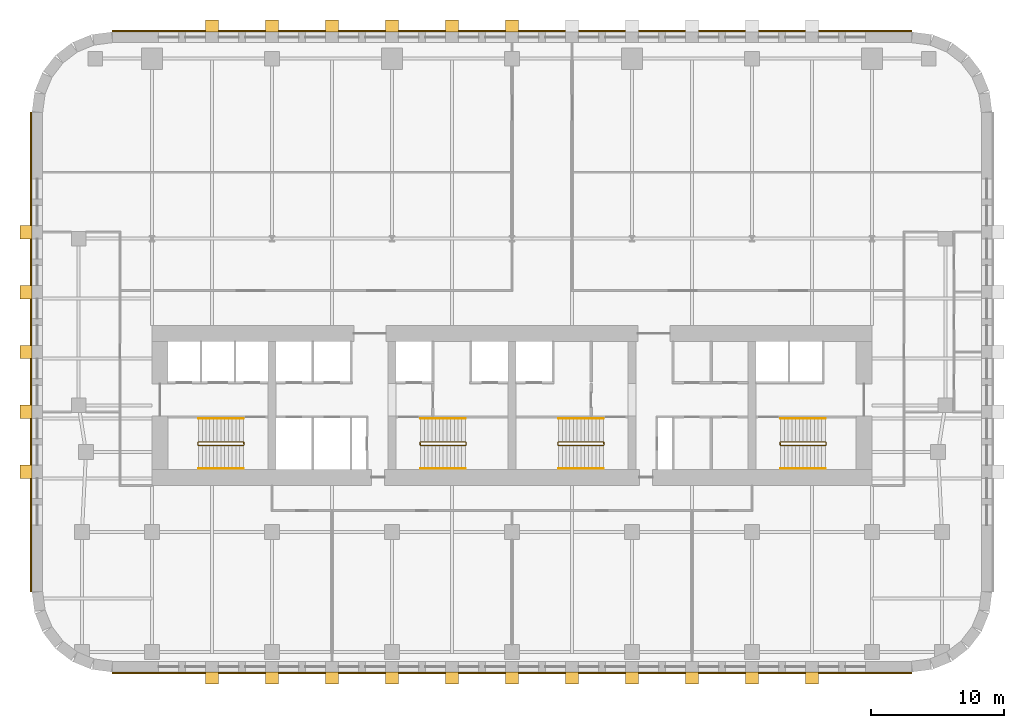
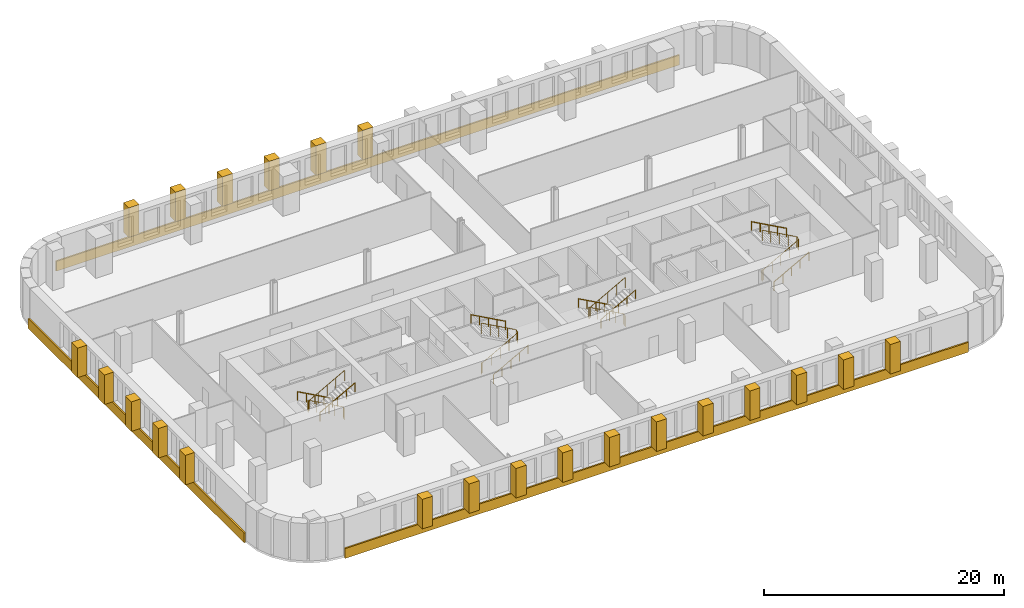
# One storey, part 10 of 11: 25 coverings, 12 railings.
"""IFC4 building model written with IfcOpenShell, lengths in metres."""

import ifcopenshell
import ifcopenshell.guid

model = None  # the IFC model being written
_history = None  # IfcOwnerHistory: only IFC2X3 demands one
_inside = {}  # id of a spatial element -> (the spatial element, [elements in it])
_under = {}  # id of a project, library or spatial element -> (it, [spatial elements below it])
_declared = {}  # id of a project -> (the project, [libraries it declares])
_typed = {}  # id of a type object -> (the type object, [elements of that type])
_made_of = {}  # id of a material, layer set ... -> (it, [elements and type objects made of it])


def new_model(schema):
    """Start an empty IFC model of exactly this schema.

    Asked for "IFC4X3", IfcOpenShell would pick the latest addendum, in which some entities
    have other attributes; the version numbers below select the first issue.
    IFC2X3 requires an IfcOwnerHistory on every rooted entity: one is made here for all.
    """
    global model, _history
    if schema == "IFC4X3":
        model = ifcopenshell.file(schema_version=(4, 3, 0, 0))
    else:
        model = ifcopenshell.file(schema=schema)
    _inside.clear()
    _under.clear()
    _declared.clear()
    _typed.clear()
    _made_of.clear()
    _history = None
    if model.schema == "IFC2X3":
        org = make("IfcOrganization", Name="unknown")
        user = make(
            "IfcPersonAndOrganization",
            ThePerson=make("IfcPerson", FamilyName="unknown"),
            TheOrganization=org,
        )
        app = make(
            "IfcApplication",
            ApplicationDeveloper=org,
            Version="unknown",
            ApplicationFullName="unknown",
            ApplicationIdentifier="unknown",
        )
        _history = make(
            "IfcOwnerHistory",
            OwningUser=user,
            OwningApplication=app,
            ChangeAction="ADDED",
            CreationDate=0,
        )
    return model


def make(cls, **values):
    """One entity of the class cls with the attributes given. An attribute that is None is left unset."""
    return model.create_entity(
        cls, **{name: value for name, value in values.items() if value is not None}
    )


def rooted(cls, **values):
    """An entity with a GlobalId (a new one), such as an element, a storey or a relation."""
    return make(cls, GlobalId=ifcopenshell.guid.new(), OwnerHistory=_history, **values)


def si_unit(unit_type, name, prefix=None):
    """IfcSIUnit, for example si_unit("LENGTHUNIT", "METRE", prefix="MILLI")."""
    return make("IfcSIUnit", UnitType=unit_type, Prefix=prefix, Name=name)


def assignment(units):
    """IfcUnitAssignment: the units of a project."""
    return None if units is None else make("IfcUnitAssignment", Units=units)


def point(xyz):
    """IfcCartesianPoint."""
    return None if xyz is None else make("IfcCartesianPoint", Coordinates=xyz)


def direction(xyz):
    """IfcDirection."""
    return None if xyz is None else make("IfcDirection", DirectionRatios=xyz)


def frame(location, z_axis=None, x_axis=None):
    """IfcAxis2Placement3D, a coordinate frame: its origin and axes. An axis left out is left unset."""
    return make(
        "IfcAxis2Placement3D",
        Location=point(location),
        Axis=direction(z_axis),
        RefDirection=direction(x_axis),
    )


def frame_2d(location, x_axis=None):
    """IfcAxis2Placement2D, a coordinate frame in the plane: its origin and x axis."""
    return make(
        "IfcAxis2Placement2D", Location=point(location), RefDirection=direction(x_axis)
    )


def origin():
    """The frame at (0, 0, 0) with its axes left unset."""
    return frame((0.0, 0.0, 0.0))


def origin_2d():
    """The frame at (0, 0) in the plane with its x axis left unset."""
    return frame_2d((0.0, 0.0))


def place(relative_to, where):
    """IfcLocalPlacement: puts the frame where relative to a parent placement (None: the world)."""
    return make(
        "IfcLocalPlacement", PlacementRelTo=relative_to, RelativePlacement=where
    )


def context(
    kind, dimensions, precision=None, world=None, true_north=None, identifier=None
):
    """IfcGeometricRepresentationContext, for example the 3D "Model" context."""
    return make(
        "IfcGeometricRepresentationContext",
        ContextIdentifier=identifier,
        ContextType=kind,
        CoordinateSpaceDimension=dimensions,
        Precision=precision,
        WorldCoordinateSystem=world,
        TrueNorth=true_north,
    )


def subcontext(parent, identifier, kind, view, scale=None):
    """IfcGeometricRepresentationSubContext, for example "Body" below "Model"."""
    return make(
        "IfcGeometricRepresentationSubContext",
        ContextIdentifier=identifier,
        ContextType=kind,
        ParentContext=parent,
        TargetScale=scale,
        TargetView=view,
    )


def project(units=None, contexts=None):
    """IfcProject with its units and contexts."""
    return rooted(
        "IfcProject",
        Name="project",
        RepresentationContexts=contexts,
        UnitsInContext=assignment(units),
    )


def spatial(cls, under=None, at=None, **own):
    """A site, building, storey or space (cls), placed at a placement, below another one or the project."""
    s = rooted(cls, ObjectPlacement=at, **own)
    if under is not None:
        _under.setdefault(under.id(), (under, []))[1].append(s)
    return s


def polyline(points):
    """IfcPolyline through the points."""
    return make("IfcPolyline", Points=[point(p) for p in points])


def profile(cls, at=None, kind="AREA", **sizes):
    """A parametric profile (cls). Its sizes go by their IFC names, for example OverallWidth=200.0."""
    return make(cls, ProfileType=kind, Position=at, **sizes)


def circle(**sizes):
    """IfcCircleProfileDef."""
    return profile("IfcCircleProfileDef", **sizes)


def outline(outer, holes=None, kind="AREA"):
    """IfcArbitraryClosedProfileDef: a profile drawn as a closed curve; with holes, ...WithVoids."""
    if holes is None:
        return make("IfcArbitraryClosedProfileDef", ProfileType=kind, OuterCurve=outer)
    return make(
        "IfcArbitraryProfileDefWithVoids",
        ProfileType=kind,
        OuterCurve=outer,
        InnerCurves=holes,
    )


def extrude(swept, where, along, depth):
    """IfcExtrudedAreaSolid: the profile swept, set in the frame where, extruded along a direction by depth."""
    return make(
        "IfcExtrudedAreaSolid",
        SweptArea=swept,
        Position=where,
        ExtrudedDirection=direction(along),
        Depth=depth,
    )


def shape(context_of_items, identifier, shape_type, items):
    """IfcShapeRepresentation: the items that make up one representation, for example the "Body"."""
    return make(
        "IfcShapeRepresentation",
        ContextOfItems=context_of_items,
        RepresentationIdentifier=identifier,
        RepresentationType=shape_type,
        Items=items,
    )


def material(Name=None, Category=None):
    """IfcMaterial."""
    return make("IfcMaterial", Name=Name, Category=Category)


def layer(
    of_material, thickness, ventilated=None, Name=None, Category=None, Priority=None
):
    """IfcMaterialLayer: one layer of a wall or slab, of a material (None: an air gap)."""
    return make(
        "IfcMaterialLayer",
        Material=of_material,
        LayerThickness=thickness,
        IsVentilated=ventilated,
        Name=Name,
        Category=Category,
        Priority=Priority,
    )


def layer_set(layers, Name=None):
    """IfcMaterialLayerSet."""
    return make("IfcMaterialLayerSet", MaterialLayers=layers, LayerSetName=Name)


def made_of(thing, what):
    """Note that an element or type object is made of a material, layer set ...; save() writes the relation."""
    if what is not None:
        _made_of.setdefault(what.id(), (what, []))[1].append(thing)
    return thing


def type_object(cls, material=None, **own):
    """A type object (cls), such as IfcWallType, which elements share."""
    return made_of(rooted(cls, **own), material)


def element(
    cls,
    number,
    at=None,
    inside=None,
    cuts=None,
    type_object=None,
    material=None,
    context=None,
    identifier="Body",
    shape_type=None,
    held_by="IfcProductDefinitionShape",
    body=None,
    shapes=None,
    **own,
):
    """One element of the class cls, such as IfcWall. Its Tag is "e" and its number.

    at: its placement. inside: the storey or other place that contains it. cuts: it is an
    opening in that element (IfcRelVoidsElement). A single representation is given by context,
    identifier, shape_type and body (its items); several are given by shapes. held_by: the class
    of the entity that holds the representations. save() writes the other relations.
    """
    e = rooted(cls, Tag="e%d" % number, ObjectPlacement=at, **own)
    if body is not None:
        shapes = [shape(context, identifier, shape_type, body)]
    if shapes is not None:
        e.Representation = make(held_by, Representations=shapes)
    if inside is not None:
        _inside.setdefault(inside.id(), (inside, []))[1].append(e)
    if cuts is not None:
        rooted(
            "IfcRelVoidsElement", RelatingBuildingElement=cuts, RelatedOpeningElement=e
        )
    if type_object is not None:
        _typed.setdefault(type_object.id(), (type_object, []))[1].append(e)
    return made_of(e, material)


def aggregate(whole, parts):
    """IfcRelAggregates: a whole, such as a stair, and the parts it consists of."""
    return rooted("IfcRelAggregates", RelatingObject=whole, RelatedObjects=parts)


def save(model, path):
    """Write the relations noted so far, then the file.

    IfcRelAggregates (storeys below a building ...), IfcRelContainedInSpatialStructure (elements
    in a storey), IfcRelDefinesByType, IfcRelAssociatesMaterial and IfcRelDeclares: one each for
    every whole, place, type object, material and project.
    """
    for whole, parts in _under.values():
        aggregate(whole, parts)
    for where, things in _inside.values():
        rooted(
            "IfcRelContainedInSpatialStructure",
            RelatedElements=things,
            RelatingStructure=where,
        )
    for kind, things in _typed.values():
        rooted("IfcRelDefinesByType", RelatedObjects=things, RelatingType=kind)
    for what, things in _made_of.values():
        rooted("IfcRelAssociatesMaterial", RelatedObjects=things, RelatingMaterial=what)
    for by, libraries in _declared.values():
        rooted("IfcRelDeclares", RelatingContext=by, RelatedDefinitions=libraries)
    model.write(path)


model = new_model("IFC4")

# Units and contexts
model_context = context("Model", 3, precision=1e-05, world=origin(), true_north=direction((0.0, 1.0)))
body_context = subcontext(model_context, "Body", "Model", "MODEL_VIEW")
ifc_project = project(units=[si_unit("LENGTHUNIT", "METRE"), si_unit("AREAUNIT", "SQUARE_METRE"), si_unit("VOLUMEUNIT", "CUBIC_METRE"), si_unit("PLANEANGLEUNIT", "RADIAN"), si_unit("MASSUNIT", "GRAM", prefix="KILO")], contexts=[model_context])

# Site, building, storey
site_placement = place(None, origin())
site = spatial("IfcSite", under=ifc_project, at=site_placement, CompositionType="ELEMENT")
building_placement = place(site_placement, origin())
building = spatial("IfcBuilding", under=site, at=building_placement, Name="Zellij Exchange Tower", CompositionType="ELEMENT")
storey_placement = place(building_placement, frame((0.0, 0.0, 80.5)))
storey = spatial("IfcBuildingStorey", under=building, at=storey_placement, Name="L16", CompositionType="ELEMENT", Elevation=80.5)

# Railings
ifc_material_1 = material(Name="Stainless steel", Category="steel")
railing_type_1 = type_object("IfcRailingType", Name="CORE-RG stair guard", PredefinedType="GUARDRAIL", material=ifc_material_1)
railing_1_placement = place(storey_placement, frame((-20.10009765625, -10.800048828125, 0.0)))
element("IfcRailing", 1, at=railing_1_placement, inside=storey, type_object=railing_type_1, Name="ST1 stair guard L16", PredefinedType="GUARDRAIL", context=body_context, shape_type="SweptSolid", body=[
    extrude(circle(Radius=0.02392578125, at=origin_2d()), frame((0.0, 0.0, 1.076171875), z_axis=(0.0, -1.0, 0.0), x_axis=(1.0, 0.0, 0.0)), (0.0, 0.0, 1.0), 0.14990234375),
    extrude(circle(Radius=0.02392578125, at=origin_2d()), frame((0.0, -0.14990234375, 1.076171875), z_axis=(-0.193691321961, 0.777613689637, 0.598164376644), x_axis=(-0.970351222016, -0.241699205484, 0.0)), (0.0, 0.0, 1.0), 0.257080078125),
    extrude(circle(Radius=0.02392578125, at=origin_2d()), frame((-0.0498046875, 0.050048828125, 1.22998046875), z_axis=(-0.876421534553, 0.0, 0.481544695509), x_axis=(0.0, -1.0, 0.0)), (0.0, 0.0, 1.0), 3.833984375),
    extrude(circle(Radius=0.02392578125, at=origin_2d()), frame((-3.409912109375, 0.050048828125, 3.076171875), z_axis=(-0.707106781187, -0.707106781187, 0.0), x_axis=(0.707106781187, -0.707106781187, 0.0)), (0.0, 0.0, 1.0), 0.07080078125),
    extrude(circle(Radius=0.02392578125, at=origin_2d()), frame((-3.4599609375, 0.0, 3.076171875), z_axis=(0.0, -1.0, 0.0), x_axis=(1.0, 0.0, 0.0)), (0.0, 0.0, 1.0), 0.14990234375),
    extrude(circle(Radius=0.02392578125, at=origin_2d()), frame((-3.4599609375, -0.14990234375, 3.076171875), z_axis=(0.295599637079, -0.295599637079, 0.908428152975), x_axis=(0.707106781187, 0.707106781187, 0.0)), (0.0, 0.0, 1.0), 0.16943359375),
    extrude(circle(Radius=0.02392578125, at=origin_2d()), frame((-3.409912109375, -0.199951171875, 3.22998046875), z_axis=(0.876421534553, 0.0, 0.481544695509), x_axis=(0.0, 1.0, 0.0)), (0.0, 0.0, 1.0), 3.833984375),
    extrude(circle(Radius=0.02099609375, at=origin_2d()), origin(), (0.0, 0.0, 1.0), 1.052001953125),
    extrude(circle(Radius=0.02099609375, at=origin_2d()), frame((0.0, -0.14990234375, 0.0)), (0.0, 0.0, 1.0), 1.052001953125),
    extrude(circle(Radius=0.02099609375, at=origin_2d()), frame((-0.0498046875, 0.050048828125, 0.15380859375)), (0.0, 0.0, 1.0), 1.052001953125),
    extrude(circle(Radius=0.02099609375, at=origin_2d()), frame((-0.889892578125, 0.050048828125, 0.615234375)), (0.0, 0.0, 1.0), 1.052001953125),
    extrude(circle(Radius=0.02099609375, at=origin_2d()), frame((-1.72998046875, 0.050048828125, 1.076904296875)), (0.0, 0.0, 1.0), 1.052001953125),
    extrude(circle(Radius=0.02099609375, at=origin_2d()), frame((-2.56982421875, 0.050048828125, 1.53857421875)), (0.0, 0.0, 1.0), 1.052001953125),
    extrude(circle(Radius=0.02099609375, at=origin_2d()), frame((-3.409912109375, 0.050048828125, 2.0)), (0.0, 0.0, 1.0), 1.052001953125),
    extrude(circle(Radius=0.02099609375, at=origin_2d()), frame((-3.4599609375, 0.0, 2.0)), (0.0, 0.0, 1.0), 1.052001953125),
    extrude(circle(Radius=0.02099609375, at=origin_2d()), frame((-3.4599609375, -0.14990234375, 2.0)), (0.0, 0.0, 1.0), 1.052001953125),
    extrude(circle(Radius=0.02099609375, at=origin_2d()), frame((-3.409912109375, -0.199951171875, 2.15380859375)), (0.0, 0.0, 1.0), 1.052001953125),
    extrude(circle(Radius=0.02099609375, at=origin_2d()), frame((-2.56982421875, -0.199951171875, 2.615234375)), (0.0, 0.0, 1.0), 1.052001953125),
    extrude(circle(Radius=0.02099609375, at=origin_2d()), frame((-1.72998046875, -0.199951171875, 3.076904296875)), (0.0, 0.0, 1.0), 1.052001953125),
    extrude(circle(Radius=0.02099609375, at=origin_2d()), frame((-0.889892578125, -0.199951171875, 3.53857421875)), (0.0, 0.0, 1.0), 1.052001953125),
    extrude(circle(Radius=0.02099609375, at=origin_2d()), frame((-0.0498046875, -0.199951171875, 4.0)), (0.0, 0.0, 1.0), 1.052001953125),
])
railing_2_placement = place(storey_placement, frame((-6.89990234375, -10.949951171875, 0.0)))
element("IfcRailing", 2, at=railing_2_placement, inside=storey, type_object=railing_type_1, Name="ST2 stair guard L16", PredefinedType="GUARDRAIL", context=body_context, shape_type="SweptSolid", body=[
    extrude(circle(Radius=0.02392578125, at=origin_2d()), frame((0.0, 0.0, 1.076171875), z_axis=(0.0, 1.0, 0.0), x_axis=(-1.0, 0.0, 0.0)), (0.0, 0.0, 1.0), 0.14990234375),
    extrude(circle(Radius=0.02392578125, at=origin_2d()), frame((0.0, 0.14990234375, 1.076171875), z_axis=(0.193691321961, -0.777613689637, 0.598164376644), x_axis=(0.970351222016, 0.241699205484, 0.0)), (0.0, 0.0, 1.0), 0.257080078125),
    extrude(circle(Radius=0.02392578125, at=origin_2d()), frame((0.0498046875, -0.050048828125, 1.22998046875), z_axis=(0.876421534553, 0.0, 0.481544695509), x_axis=(0.0, 1.0, 0.0)), (0.0, 0.0, 1.0), 3.833984375),
    extrude(circle(Radius=0.02392578125, at=origin_2d()), frame((3.409912109375, -0.050048828125, 3.076171875), z_axis=(0.707106781187, 0.707106781187, 0.0), x_axis=(-0.707106781187, 0.707106781187, 0.0)), (0.0, 0.0, 1.0), 0.07080078125),
    extrude(circle(Radius=0.02392578125, at=origin_2d()), frame((3.4599609375, 0.0, 3.076171875), z_axis=(0.0, 1.0, 0.0), x_axis=(-1.0, 0.0, 0.0)), (0.0, 0.0, 1.0), 0.14990234375),
    extrude(circle(Radius=0.02392578125, at=origin_2d()), frame((3.4599609375, 0.14990234375, 3.076171875), z_axis=(-0.295599637079, 0.295599637079, 0.908428152975), x_axis=(-0.707106781187, -0.707106781187, 0.0)), (0.0, 0.0, 1.0), 0.16943359375),
    extrude(circle(Radius=0.02392578125, at=origin_2d()), frame((3.409912109375, 0.199951171875, 3.22998046875), z_axis=(-0.876421534553, 0.0, 0.481544695509), x_axis=(0.0, -1.0, 0.0)), (0.0, 0.0, 1.0), 3.833984375),
    extrude(circle(Radius=0.02099609375, at=origin_2d()), origin(), (0.0, 0.0, 1.0), 1.052001953125),
    extrude(circle(Radius=0.02099609375, at=origin_2d()), frame((0.0, 0.14990234375, 0.0)), (0.0, 0.0, 1.0), 1.052001953125),
    extrude(circle(Radius=0.02099609375, at=origin_2d()), frame((0.0498046875, -0.050048828125, 0.15380859375)), (0.0, 0.0, 1.0), 1.052001953125),
    extrude(circle(Radius=0.02099609375, at=origin_2d()), frame((0.889892578125, -0.050048828125, 0.615234375)), (0.0, 0.0, 1.0), 1.052001953125),
    extrude(circle(Radius=0.02099609375, at=origin_2d()), frame((1.72998046875, -0.050048828125, 1.076904296875)), (0.0, 0.0, 1.0), 1.052001953125),
    extrude(circle(Radius=0.02099609375, at=origin_2d()), frame((2.56982421875, -0.050048828125, 1.53857421875)), (0.0, 0.0, 1.0), 1.052001953125),
    extrude(circle(Radius=0.02099609375, at=origin_2d()), frame((3.409912109375, -0.050048828125, 2.0)), (0.0, 0.0, 1.0), 1.052001953125),
    extrude(circle(Radius=0.02099609375, at=origin_2d()), frame((3.4599609375, 0.0, 2.0)), (0.0, 0.0, 1.0), 1.052001953125),
    extrude(circle(Radius=0.02099609375, at=origin_2d()), frame((3.4599609375, 0.14990234375, 2.0)), (0.0, 0.0, 1.0), 1.052001953125),
    extrude(circle(Radius=0.02099609375, at=origin_2d()), frame((3.409912109375, 0.199951171875, 2.15380859375)), (0.0, 0.0, 1.0), 1.052001953125),
    extrude(circle(Radius=0.02099609375, at=origin_2d()), frame((2.56982421875, 0.199951171875, 2.615234375)), (0.0, 0.0, 1.0), 1.052001953125),
    extrude(circle(Radius=0.02099609375, at=origin_2d()), frame((1.72998046875, 0.199951171875, 3.076904296875)), (0.0, 0.0, 1.0), 1.052001953125),
    extrude(circle(Radius=0.02099609375, at=origin_2d()), frame((0.889892578125, 0.199951171875, 3.53857421875)), (0.0, 0.0, 1.0), 1.052001953125),
    extrude(circle(Radius=0.02099609375, at=origin_2d()), frame((0.0498046875, 0.199951171875, 4.0)), (0.0, 0.0, 1.0), 1.052001953125),
])
railing_3_placement = place(storey_placement, frame((6.89990234375, -10.800048828125, 0.0)))
element("IfcRailing", 3, at=railing_3_placement, inside=storey, type_object=railing_type_1, Name="ST3 stair guard L16", PredefinedType="GUARDRAIL", context=body_context, shape_type="SweptSolid", body=[
    extrude(circle(Radius=0.02392578125, at=origin_2d()), frame((0.0, 0.0, 1.076171875), z_axis=(0.0, -1.0, 0.0), x_axis=(1.0, 0.0, 0.0)), (0.0, 0.0, 1.0), 0.14990234375),
    extrude(circle(Radius=0.02392578125, at=origin_2d()), frame((0.0, -0.14990234375, 1.076171875), z_axis=(-0.193691321961, 0.777613689637, 0.598164376644), x_axis=(-0.970351222016, -0.241699205484, 0.0)), (0.0, 0.0, 1.0), 0.257080078125),
    extrude(circle(Radius=0.02392578125, at=origin_2d()), frame((-0.0498046875, 0.050048828125, 1.22998046875), z_axis=(-0.876421534553, 0.0, 0.481544695509), x_axis=(0.0, -1.0, 0.0)), (0.0, 0.0, 1.0), 3.833984375),
    extrude(circle(Radius=0.02392578125, at=origin_2d()), frame((-3.409912109375, 0.050048828125, 3.076171875), z_axis=(-0.707106781187, -0.707106781187, 0.0), x_axis=(0.707106781187, -0.707106781187, 0.0)), (0.0, 0.0, 1.0), 0.07080078125),
    extrude(circle(Radius=0.02392578125, at=origin_2d()), frame((-3.4599609375, 0.0, 3.076171875), z_axis=(0.0, -1.0, 0.0), x_axis=(1.0, 0.0, 0.0)), (0.0, 0.0, 1.0), 0.14990234375),
    extrude(circle(Radius=0.02392578125, at=origin_2d()), frame((-3.4599609375, -0.14990234375, 3.076171875), z_axis=(0.295599637079, -0.295599637079, 0.908428152975), x_axis=(0.707106781187, 0.707106781187, 0.0)), (0.0, 0.0, 1.0), 0.16943359375),
    extrude(circle(Radius=0.02392578125, at=origin_2d()), frame((-3.409912109375, -0.199951171875, 3.22998046875), z_axis=(0.876421534553, 0.0, 0.481544695509), x_axis=(0.0, 1.0, 0.0)), (0.0, 0.0, 1.0), 3.833984375),
    extrude(circle(Radius=0.02099609375, at=origin_2d()), origin(), (0.0, 0.0, 1.0), 1.052001953125),
    extrude(circle(Radius=0.02099609375, at=origin_2d()), frame((0.0, -0.14990234375, 0.0)), (0.0, 0.0, 1.0), 1.052001953125),
    extrude(circle(Radius=0.02099609375, at=origin_2d()), frame((-0.0498046875, 0.050048828125, 0.15380859375)), (0.0, 0.0, 1.0), 1.052001953125),
    extrude(circle(Radius=0.02099609375, at=origin_2d()), frame((-0.889892578125, 0.050048828125, 0.615234375)), (0.0, 0.0, 1.0), 1.052001953125),
    extrude(circle(Radius=0.02099609375, at=origin_2d()), frame((-1.72998046875, 0.050048828125, 1.076904296875)), (0.0, 0.0, 1.0), 1.052001953125),
    extrude(circle(Radius=0.02099609375, at=origin_2d()), frame((-2.56982421875, 0.050048828125, 1.53857421875)), (0.0, 0.0, 1.0), 1.052001953125),
    extrude(circle(Radius=0.02099609375, at=origin_2d()), frame((-3.409912109375, 0.050048828125, 2.0)), (0.0, 0.0, 1.0), 1.052001953125),
    extrude(circle(Radius=0.02099609375, at=origin_2d()), frame((-3.4599609375, 0.0, 2.0)), (0.0, 0.0, 1.0), 1.052001953125),
    extrude(circle(Radius=0.02099609375, at=origin_2d()), frame((-3.4599609375, -0.14990234375, 2.0)), (0.0, 0.0, 1.0), 1.052001953125),
    extrude(circle(Radius=0.02099609375, at=origin_2d()), frame((-3.409912109375, -0.199951171875, 2.15380859375)), (0.0, 0.0, 1.0), 1.052001953125),
    extrude(circle(Radius=0.02099609375, at=origin_2d()), frame((-2.56982421875, -0.199951171875, 2.615234375)), (0.0, 0.0, 1.0), 1.052001953125),
    extrude(circle(Radius=0.02099609375, at=origin_2d()), frame((-1.72998046875, -0.199951171875, 3.076904296875)), (0.0, 0.0, 1.0), 1.052001953125),
    extrude(circle(Radius=0.02099609375, at=origin_2d()), frame((-0.889892578125, -0.199951171875, 3.53857421875)), (0.0, 0.0, 1.0), 1.052001953125),
    extrude(circle(Radius=0.02099609375, at=origin_2d()), frame((-0.0498046875, -0.199951171875, 4.0)), (0.0, 0.0, 1.0), 1.052001953125),
])
railing_4_placement = place(storey_placement, frame((20.10009765625, -10.949951171875, 0.0)))
element("IfcRailing", 4, at=railing_4_placement, inside=storey, type_object=railing_type_1, Name="ST4 stair guard L16", PredefinedType="GUARDRAIL", context=body_context, shape_type="SweptSolid", body=[
    extrude(circle(Radius=0.02392578125, at=origin_2d()), frame((0.0, 0.0, 1.076171875), z_axis=(0.0, 1.0, 0.0), x_axis=(-1.0, 0.0, 0.0)), (0.0, 0.0, 1.0), 0.14990234375),
    extrude(circle(Radius=0.02392578125, at=origin_2d()), frame((0.0, 0.14990234375, 1.076171875), z_axis=(0.193691321961, -0.777613689637, 0.598164376644), x_axis=(0.970351222016, 0.241699205484, 0.0)), (0.0, 0.0, 1.0), 0.257080078125),
    extrude(circle(Radius=0.02392578125, at=origin_2d()), frame((0.0498046875, -0.050048828125, 1.22998046875), z_axis=(0.876421534553, 0.0, 0.481544695509), x_axis=(0.0, 1.0, 0.0)), (0.0, 0.0, 1.0), 3.833984375),
    extrude(circle(Radius=0.02392578125, at=origin_2d()), frame((3.409912109375, -0.050048828125, 3.076171875), z_axis=(0.707106781187, 0.707106781187, 0.0), x_axis=(-0.707106781187, 0.707106781187, 0.0)), (0.0, 0.0, 1.0), 0.07080078125),
    extrude(circle(Radius=0.02392578125, at=origin_2d()), frame((3.4599609375, 0.0, 3.076171875), z_axis=(0.0, 1.0, 0.0), x_axis=(-1.0, 0.0, 0.0)), (0.0, 0.0, 1.0), 0.14990234375),
    extrude(circle(Radius=0.02392578125, at=origin_2d()), frame((3.4599609375, 0.14990234375, 3.076171875), z_axis=(-0.295599637079, 0.295599637079, 0.908428152975), x_axis=(-0.707106781187, -0.707106781187, 0.0)), (0.0, 0.0, 1.0), 0.16943359375),
    extrude(circle(Radius=0.02392578125, at=origin_2d()), frame((3.409912109375, 0.199951171875, 3.22998046875), z_axis=(-0.876421534553, 0.0, 0.481544695509), x_axis=(0.0, -1.0, 0.0)), (0.0, 0.0, 1.0), 3.833984375),
    extrude(circle(Radius=0.02099609375, at=origin_2d()), origin(), (0.0, 0.0, 1.0), 1.052001953125),
    extrude(circle(Radius=0.02099609375, at=origin_2d()), frame((0.0, 0.14990234375, 0.0)), (0.0, 0.0, 1.0), 1.052001953125),
    extrude(circle(Radius=0.02099609375, at=origin_2d()), frame((0.0498046875, -0.050048828125, 0.15380859375)), (0.0, 0.0, 1.0), 1.052001953125),
    extrude(circle(Radius=0.02099609375, at=origin_2d()), frame((0.889892578125, -0.050048828125, 0.615234375)), (0.0, 0.0, 1.0), 1.052001953125),
    extrude(circle(Radius=0.02099609375, at=origin_2d()), frame((1.72998046875, -0.050048828125, 1.076904296875)), (0.0, 0.0, 1.0), 1.052001953125),
    extrude(circle(Radius=0.02099609375, at=origin_2d()), frame((2.56982421875, -0.050048828125, 1.53857421875)), (0.0, 0.0, 1.0), 1.052001953125),
    extrude(circle(Radius=0.02099609375, at=origin_2d()), frame((3.409912109375, -0.050048828125, 2.0)), (0.0, 0.0, 1.0), 1.052001953125),
    extrude(circle(Radius=0.02099609375, at=origin_2d()), frame((3.4599609375, 0.0, 2.0)), (0.0, 0.0, 1.0), 1.052001953125),
    extrude(circle(Radius=0.02099609375, at=origin_2d()), frame((3.4599609375, 0.14990234375, 2.0)), (0.0, 0.0, 1.0), 1.052001953125),
    extrude(circle(Radius=0.02099609375, at=origin_2d()), frame((3.409912109375, 0.199951171875, 2.15380859375)), (0.0, 0.0, 1.0), 1.052001953125),
    extrude(circle(Radius=0.02099609375, at=origin_2d()), frame((2.56982421875, 0.199951171875, 2.615234375)), (0.0, 0.0, 1.0), 1.052001953125),
    extrude(circle(Radius=0.02099609375, at=origin_2d()), frame((1.72998046875, 0.199951171875, 3.076904296875)), (0.0, 0.0, 1.0), 1.052001953125),
    extrude(circle(Radius=0.02099609375, at=origin_2d()), frame((0.889892578125, 0.199951171875, 3.53857421875)), (0.0, 0.0, 1.0), 1.052001953125),
    extrude(circle(Radius=0.02099609375, at=origin_2d()), frame((0.0498046875, 0.199951171875, 4.0)), (0.0, 0.0, 1.0), 1.052001953125),
])
railing_type_2 = type_object("IfcRailingType", Name="CORE-RH stair handrail", PredefinedType="HANDRAIL", material=ifc_material_1)
railing_5_placement = place(storey_placement, frame((-20.14990234375, -9.0, 0.15380859375)))
element("IfcRailing", 5, at=railing_5_placement, inside=storey, type_object=railing_type_2, Name="ST1 stair handrail L16", PredefinedType="HANDRAIL", context=body_context, shape_type="SweptSolid", body=[
    extrude(circle(Radius=0.02392578125, at=origin_2d()), frame((0.0, 0.0, 0.8759765625), z_axis=(-0.876421534553, 0.0, 0.481544695509), x_axis=(0.0, -1.0, 0.0)), (0.0, 0.0, 1.0), 3.833984375),
    extrude(circle(Radius=0.02099609375, at=origin_2d()), origin(), (0.0, 0.0, 1.0), 0.851806640625),
    extrude(circle(Radius=0.02099609375, at=origin_2d()), frame((-0.840087890625, 0.0, 0.46142578125)), (0.0, 0.0, 1.0), 0.851806640625),
    extrude(circle(Radius=0.02099609375, at=origin_2d()), frame((-1.68017578125, 0.0, 0.923095703125)), (0.0, 0.0, 1.0), 0.851806640625),
    extrude(circle(Radius=0.02099609375, at=origin_2d()), frame((-2.52001953125, 0.0, 1.384765625)), (0.0, 0.0, 1.0), 0.851806640625),
    extrude(circle(Radius=0.02099609375, at=origin_2d()), frame((-3.360107421875, 0.0, 1.84619140625)), (0.0, 0.0, 1.0), 0.851806640625),
])
for number, where, name in (
    (6, (-23.510009765625, -12.75, 2.15380859375), "ST1 stair handrail L16"),
    (7, (-6.85009765625, -12.75, 0.15380859375), "ST2 stair handrail L16"),
):
    element("IfcRailing", number, at=place(storey_placement, frame(where)), inside=storey, type_object=railing_type_2, Name=name, PredefinedType="HANDRAIL", context=body_context, shape_type="SweptSolid", body=[
        extrude(circle(Radius=0.02392578125, at=origin_2d()), frame((0.0, 0.0, 0.8759765625), z_axis=(0.876421534553, 0.0, 0.481544695509), x_axis=(0.0, 1.0, 0.0)), (0.0, 0.0, 1.0), 3.833984375),
        extrude(circle(Radius=0.02099609375, at=origin_2d()), origin(), (0.0, 0.0, 1.0), 0.851806640625),
        extrude(circle(Radius=0.02099609375, at=origin_2d()), frame((0.840087890625, 0.0, 0.46142578125)), (0.0, 0.0, 1.0), 0.851806640625),
        extrude(circle(Radius=0.02099609375, at=origin_2d()), frame((1.68017578125, 0.0, 0.923095703125)), (0.0, 0.0, 1.0), 0.851806640625),
        extrude(circle(Radius=0.02099609375, at=origin_2d()), frame((2.52001953125, 0.0, 1.384765625)), (0.0, 0.0, 1.0), 0.851806640625),
        extrude(circle(Radius=0.02099609375, at=origin_2d()), frame((3.360107421875, 0.0, 1.84619140625)), (0.0, 0.0, 1.0), 0.851806640625),
    ])
for number, where, name in (
    (8, (-3.489990234375, -9.0, 2.15380859375), "ST2 stair handrail L16"),
    (9, (6.85009765625, -9.0, 0.15380859375), "ST3 stair handrail L16"),
):
    element("IfcRailing", number, at=place(storey_placement, frame(where)), inside=storey, type_object=railing_type_2, Name=name, PredefinedType="HANDRAIL", context=body_context, shape_type="SweptSolid", body=[
        extrude(circle(Radius=0.02392578125, at=origin_2d()), frame((0.0, 0.0, 0.8759765625), z_axis=(-0.876421534553, 0.0, 0.481544695509), x_axis=(0.0, -1.0, 0.0)), (0.0, 0.0, 1.0), 3.833984375),
        extrude(circle(Radius=0.02099609375, at=origin_2d()), origin(), (0.0, 0.0, 1.0), 0.851806640625),
        extrude(circle(Radius=0.02099609375, at=origin_2d()), frame((-0.840087890625, 0.0, 0.46142578125)), (0.0, 0.0, 1.0), 0.851806640625),
        extrude(circle(Radius=0.02099609375, at=origin_2d()), frame((-1.68017578125, 0.0, 0.923095703125)), (0.0, 0.0, 1.0), 0.851806640625),
        extrude(circle(Radius=0.02099609375, at=origin_2d()), frame((-2.52001953125, 0.0, 1.384765625)), (0.0, 0.0, 1.0), 0.851806640625),
        extrude(circle(Radius=0.02099609375, at=origin_2d()), frame((-3.360107421875, 0.0, 1.84619140625)), (0.0, 0.0, 1.0), 0.851806640625),
    ])
for number, where, name in (
    (10, (3.489990234375, -12.75, 2.15380859375), "ST3 stair handrail L16"),
    (11, (20.14990234375, -12.75, 0.15380859375), "ST4 stair handrail L16"),
):
    element("IfcRailing", number, at=place(storey_placement, frame(where)), inside=storey, type_object=railing_type_2, Name=name, PredefinedType="HANDRAIL", context=body_context, shape_type="SweptSolid", body=[
        extrude(circle(Radius=0.02392578125, at=origin_2d()), frame((0.0, 0.0, 0.8759765625), z_axis=(0.876421534553, 0.0, 0.481544695509), x_axis=(0.0, 1.0, 0.0)), (0.0, 0.0, 1.0), 3.833984375),
        extrude(circle(Radius=0.02099609375, at=origin_2d()), origin(), (0.0, 0.0, 1.0), 0.851806640625),
        extrude(circle(Radius=0.02099609375, at=origin_2d()), frame((0.840087890625, 0.0, 0.46142578125)), (0.0, 0.0, 1.0), 0.851806640625),
        extrude(circle(Radius=0.02099609375, at=origin_2d()), frame((1.68017578125, 0.0, 0.923095703125)), (0.0, 0.0, 1.0), 0.851806640625),
        extrude(circle(Radius=0.02099609375, at=origin_2d()), frame((2.52001953125, 0.0, 1.384765625)), (0.0, 0.0, 1.0), 0.851806640625),
        extrude(circle(Radius=0.02099609375, at=origin_2d()), frame((3.360107421875, 0.0, 1.84619140625)), (0.0, 0.0, 1.0), 0.851806640625),
    ])
railing_6_placement = place(storey_placement, frame((23.510009765625, -9.0, 2.15380859375)))
element("IfcRailing", 12, at=railing_6_placement, inside=storey, type_object=railing_type_2, Name="ST4 stair handrail L16", PredefinedType="HANDRAIL", context=body_context, shape_type="SweptSolid", body=[
    extrude(circle(Radius=0.02392578125, at=origin_2d()), frame((0.0, 0.0, 0.8759765625), z_axis=(-0.876421534553, 0.0, 0.481544695509), x_axis=(0.0, -1.0, 0.0)), (0.0, 0.0, 1.0), 3.833984375),
    extrude(circle(Radius=0.02099609375, at=origin_2d()), origin(), (0.0, 0.0, 1.0), 0.851806640625),
    extrude(circle(Radius=0.02099609375, at=origin_2d()), frame((-0.840087890625, 0.0, 0.46142578125)), (0.0, 0.0, 1.0), 0.851806640625),
    extrude(circle(Radius=0.02099609375, at=origin_2d()), frame((-1.68017578125, 0.0, 0.923095703125)), (0.0, 0.0, 1.0), 0.851806640625),
    extrude(circle(Radius=0.02099609375, at=origin_2d()), frame((-2.52001953125, 0.0, 1.384765625)), (0.0, 0.0, 1.0), 0.851806640625),
    extrude(circle(Radius=0.02099609375, at=origin_2d()), frame((-3.360107421875, 0.0, 1.84619140625)), (0.0, 0.0, 1.0), 0.851806640625),
])

# Coverings
ifc_material_2 = material(Name="Limestone cladding", Category="masonry")
ifc_layer = layer(ifc_material_2, 0.14990234375)
ifc_layer_set = layer_set([ifc_layer], Name="Limestone cladding")
covering_type_1 = type_object("IfcCoveringType", Name="ENV-CV1 Stone spandrel band 150", PredefinedType="CLADDING", material=ifc_layer_set)
covering_1_placement = place(storey_placement, frame((0.0, 0.0, -0.199951171875)))
element("IfcCovering", 13, at=covering_1_placement, inside=storey, type_object=covering_type_1, Name="Stone spandrel band", PredefinedType="CLADDING", context=body_context, shape_type="SweptSolid", body=[
    extrude(outline(polyline([(-29.973876953125, -28.0), (29.973876953125, -28.0), (29.983642578125, -28.14990234375), (-29.983642578125, -28.14990234375), (-29.973876953125, -28.0)])), origin(), (0.0, 0.0, 1.0), 1.0),
])
covering_2_placement = place(storey_placement, frame((0.0, 0.0, -0.199951171875)))
element("IfcCovering", 14, at=covering_2_placement, inside=storey, type_object=covering_type_1, Name="Stone spandrel band", PredefinedType="CLADDING", context=body_context, shape_type="SweptSolid", body=[
    extrude(outline(polyline([(29.973876953125, 20.0), (-29.973876953125, 20.0), (-29.983642578125, 20.14990234375), (29.983642578125, 20.14990234375), (29.973876953125, 20.0)])), origin(), (0.0, 0.0, 1.0), 1.0),
])
covering_3_placement = place(storey_placement, frame((0.0, 0.0, -0.199951171875)))
element("IfcCovering", 15, at=covering_3_placement, inside=storey, type_object=covering_type_1, Name="Stone spandrel band", PredefinedType="CLADDING", context=body_context, shape_type="SweptSolid", body=[
    extrude(outline(polyline([(-36.0, 13.973876953125), (-36.0, -21.973876953125), (-36.14990234375, -21.983642578125), (-36.14990234375, 13.983642578125), (-36.0, 13.973876953125)])), origin(), (0.0, 0.0, 1.0), 1.0),
])
covering_type_2 = type_object("IfcCoveringType", Name="ENV-CV2 Stone pier 1000x900", PredefinedType="CLADDING", material=ifc_material_2)
covering_4_placement = place(storey_placement, frame((0.0, 0.0, 0.800048828125)))
element("IfcCovering", 16, at=covering_4_placement, inside=storey, type_object=covering_type_2, Name="Stone pier", PredefinedType="CLADDING", context=body_context, shape_type="SweptSolid", body=[
    extrude(outline(polyline([(-23.0, -28.0), (-22.0, -28.0), (-22.0, -28.89990234375), (-23.0, -28.89990234375), (-23.0, -28.0)])), origin(), (0.0, 0.0, 1.0), 3.0),
])
covering_5_placement = place(storey_placement, frame((0.0, 0.0, 0.800048828125)))
element("IfcCovering", 17, at=covering_5_placement, inside=storey, type_object=covering_type_2, Name="Stone pier", PredefinedType="CLADDING", context=body_context, shape_type="SweptSolid", body=[
    extrude(outline(polyline([(-18.5, -28.0), (-17.5, -28.0), (-17.5, -28.89990234375), (-18.5, -28.89990234375), (-18.5, -28.0)])), origin(), (0.0, 0.0, 1.0), 3.0),
])
covering_6_placement = place(storey_placement, frame((0.0, 0.0, 0.800048828125)))
element("IfcCovering", 18, at=covering_6_placement, inside=storey, type_object=covering_type_2, Name="Stone pier", PredefinedType="CLADDING", context=body_context, shape_type="SweptSolid", body=[
    extrude(outline(polyline([(-14.0, -28.0), (-13.0, -28.0), (-13.0, -28.89990234375), (-14.0, -28.89990234375), (-14.0, -28.0)])), origin(), (0.0, 0.0, 1.0), 3.0),
])
covering_7_placement = place(storey_placement, frame((0.0, 0.0, 0.800048828125)))
element("IfcCovering", 19, at=covering_7_placement, inside=storey, type_object=covering_type_2, Name="Stone pier", PredefinedType="CLADDING", context=body_context, shape_type="SweptSolid", body=[
    extrude(outline(polyline([(-9.5, -28.0), (-8.5, -28.0), (-8.5, -28.89990234375), (-9.5, -28.89990234375), (-9.5, -28.0)])), origin(), (0.0, 0.0, 1.0), 3.0),
])
covering_8_placement = place(storey_placement, frame((0.0, 0.0, 0.800048828125)))
element("IfcCovering", 20, at=covering_8_placement, inside=storey, type_object=covering_type_2, Name="Stone pier", PredefinedType="CLADDING", context=body_context, shape_type="SweptSolid", body=[
    extrude(outline(polyline([(-5.0, -28.0), (-4.0, -28.0), (-4.0, -28.89990234375), (-5.0, -28.89990234375), (-5.0, -28.0)])), origin(), (0.0, 0.0, 1.0), 3.0),
])
covering_9_placement = place(storey_placement, frame((0.0, 0.0, 0.800048828125)))
element("IfcCovering", 21, at=covering_9_placement, inside=storey, type_object=covering_type_2, Name="Stone pier", PredefinedType="CLADDING", context=body_context, shape_type="SweptSolid", body=[
    extrude(outline(polyline([(-0.5, -28.0), (0.5, -28.0), (0.5, -28.89990234375), (-0.5, -28.89990234375), (-0.5, -28.0)])), origin(), (0.0, 0.0, 1.0), 3.0),
])
covering_10_placement = place(storey_placement, frame((0.0, 0.0, 0.800048828125)))
element("IfcCovering", 22, at=covering_10_placement, inside=storey, type_object=covering_type_2, Name="Stone pier", PredefinedType="CLADDING", context=body_context, shape_type="SweptSolid", body=[
    extrude(outline(polyline([(4.0, -28.0), (5.0, -28.0), (5.0, -28.89990234375), (4.0, -28.89990234375), (4.0, -28.0)])), origin(), (0.0, 0.0, 1.0), 3.0),
])
covering_11_placement = place(storey_placement, frame((0.0, 0.0, 0.800048828125)))
element("IfcCovering", 23, at=covering_11_placement, inside=storey, type_object=covering_type_2, Name="Stone pier", PredefinedType="CLADDING", context=body_context, shape_type="SweptSolid", body=[
    extrude(outline(polyline([(8.5, -28.0), (9.5, -28.0), (9.5, -28.89990234375), (8.5, -28.89990234375), (8.5, -28.0)])), origin(), (0.0, 0.0, 1.0), 3.0),
])
covering_12_placement = place(storey_placement, frame((0.0, 0.0, 0.800048828125)))
element("IfcCovering", 24, at=covering_12_placement, inside=storey, type_object=covering_type_2, Name="Stone pier", PredefinedType="CLADDING", context=body_context, shape_type="SweptSolid", body=[
    extrude(outline(polyline([(13.0, -28.0), (14.0, -28.0), (14.0, -28.89990234375), (13.0, -28.89990234375), (13.0, -28.0)])), origin(), (0.0, 0.0, 1.0), 3.0),
])
covering_13_placement = place(storey_placement, frame((0.0, 0.0, 0.800048828125)))
element("IfcCovering", 25, at=covering_13_placement, inside=storey, type_object=covering_type_2, Name="Stone pier", PredefinedType="CLADDING", context=body_context, shape_type="SweptSolid", body=[
    extrude(outline(polyline([(17.5, -28.0), (18.5, -28.0), (18.5, -28.89990234375), (17.5, -28.89990234375), (17.5, -28.0)])), origin(), (0.0, 0.0, 1.0), 3.0),
])
covering_14_placement = place(storey_placement, frame((0.0, 0.0, 0.800048828125)))
element("IfcCovering", 26, at=covering_14_placement, inside=storey, type_object=covering_type_2, Name="Stone pier", PredefinedType="CLADDING", context=body_context, shape_type="SweptSolid", body=[
    extrude(outline(polyline([(22.0, -28.0), (23.0, -28.0), (23.0, -28.89990234375), (22.0, -28.89990234375), (22.0, -28.0)])), origin(), (0.0, 0.0, 1.0), 3.0),
])
covering_15_placement = place(storey_placement, frame((0.0, 0.0, 0.800048828125)))
element("IfcCovering", 27, at=covering_15_placement, inside=storey, type_object=covering_type_2, Name="Stone pier", PredefinedType="CLADDING", context=body_context, shape_type="SweptSolid", body=[
    extrude(outline(polyline([(0.5, 20.0), (-0.5, 20.0), (-0.5, 20.89990234375), (0.5, 20.89990234375), (0.5, 20.0)])), origin(), (0.0, 0.0, 1.0), 3.0),
])
covering_16_placement = place(storey_placement, frame((0.0, 0.0, 0.800048828125)))
element("IfcCovering", 28, at=covering_16_placement, inside=storey, type_object=covering_type_2, Name="Stone pier", PredefinedType="CLADDING", context=body_context, shape_type="SweptSolid", body=[
    extrude(outline(polyline([(-4.0, 20.0), (-5.0, 20.0), (-5.0, 20.89990234375), (-4.0, 20.89990234375), (-4.0, 20.0)])), origin(), (0.0, 0.0, 1.0), 3.0),
])
covering_17_placement = place(storey_placement, frame((0.0, 0.0, 0.800048828125)))
element("IfcCovering", 29, at=covering_17_placement, inside=storey, type_object=covering_type_2, Name="Stone pier", PredefinedType="CLADDING", context=body_context, shape_type="SweptSolid", body=[
    extrude(outline(polyline([(-8.5, 20.0), (-9.5, 20.0), (-9.5, 20.89990234375), (-8.5, 20.89990234375), (-8.5, 20.0)])), origin(), (0.0, 0.0, 1.0), 3.0),
])
covering_18_placement = place(storey_placement, frame((0.0, 0.0, 0.800048828125)))
element("IfcCovering", 30, at=covering_18_placement, inside=storey, type_object=covering_type_2, Name="Stone pier", PredefinedType="CLADDING", context=body_context, shape_type="SweptSolid", body=[
    extrude(outline(polyline([(-13.0, 20.0), (-14.0, 20.0), (-14.0, 20.89990234375), (-13.0, 20.89990234375), (-13.0, 20.0)])), origin(), (0.0, 0.0, 1.0), 3.0),
])
covering_19_placement = place(storey_placement, frame((0.0, 0.0, 0.800048828125)))
element("IfcCovering", 31, at=covering_19_placement, inside=storey, type_object=covering_type_2, Name="Stone pier", PredefinedType="CLADDING", context=body_context, shape_type="SweptSolid", body=[
    extrude(outline(polyline([(-17.5, 20.0), (-18.5, 20.0), (-18.5, 20.89990234375), (-17.5, 20.89990234375), (-17.5, 20.0)])), origin(), (0.0, 0.0, 1.0), 3.0),
])
covering_20_placement = place(storey_placement, frame((0.0, 0.0, 0.800048828125)))
element("IfcCovering", 32, at=covering_20_placement, inside=storey, type_object=covering_type_2, Name="Stone pier", PredefinedType="CLADDING", context=body_context, shape_type="SweptSolid", body=[
    extrude(outline(polyline([(-22.0, 20.0), (-23.0, 20.0), (-23.0, 20.89990234375), (-22.0, 20.89990234375), (-22.0, 20.0)])), origin(), (0.0, 0.0, 1.0), 3.0),
])
covering_21_placement = place(storey_placement, frame((0.0, 0.0, 0.800048828125)))
element("IfcCovering", 33, at=covering_21_placement, inside=storey, type_object=covering_type_2, Name="Stone pier", PredefinedType="CLADDING", context=body_context, shape_type="SweptSolid", body=[
    extrude(outline(polyline([(-36.0, 5.48681640625), (-36.0, 4.48681640625), (-36.89990234375, 4.48681640625), (-36.89990234375, 5.48681640625), (-36.0, 5.48681640625)])), origin(), (0.0, 0.0, 1.0), 3.0),
])
covering_22_placement = place(storey_placement, frame((0.0, 0.0, 0.800048828125)))
element("IfcCovering", 34, at=covering_22_placement, inside=storey, type_object=covering_type_2, Name="Stone pier", PredefinedType="CLADDING", context=body_context, shape_type="SweptSolid", body=[
    extrude(outline(polyline([(-36.0, 0.993408203125), (-36.0, -0.006591796875), (-36.89990234375, -0.006591796875), (-36.89990234375, 0.993408203125), (-36.0, 0.993408203125)])), origin(), (0.0, 0.0, 1.0), 3.0),
])
covering_23_placement = place(storey_placement, frame((0.0, 0.0, 0.800048828125)))
element("IfcCovering", 35, at=covering_23_placement, inside=storey, type_object=covering_type_2, Name="Stone pier", PredefinedType="CLADDING", context=body_context, shape_type="SweptSolid", body=[
    extrude(outline(polyline([(-36.0, -3.5), (-36.0, -4.5), (-36.89990234375, -4.5), (-36.89990234375, -3.5), (-36.0, -3.5)])), origin(), (0.0, 0.0, 1.0), 3.0),
])
covering_24_placement = place(storey_placement, frame((0.0, 0.0, 0.800048828125)))
element("IfcCovering", 36, at=covering_24_placement, inside=storey, type_object=covering_type_2, Name="Stone pier", PredefinedType="CLADDING", context=body_context, shape_type="SweptSolid", body=[
    extrude(outline(polyline([(-36.0, -7.993408203125), (-36.0, -8.993408203125), (-36.89990234375, -8.993408203125), (-36.89990234375, -7.993408203125), (-36.0, -7.993408203125)])), origin(), (0.0, 0.0, 1.0), 3.0),
])
covering_25_placement = place(storey_placement, frame((0.0, 0.0, 0.800048828125)))
element("IfcCovering", 37, at=covering_25_placement, inside=storey, type_object=covering_type_2, Name="Stone pier", PredefinedType="CLADDING", context=body_context, shape_type="SweptSolid", body=[
    extrude(outline(polyline([(-36.0, -12.48681640625), (-36.0, -13.48681640625), (-36.89990234375, -13.48681640625), (-36.89990234375, -12.48681640625), (-36.0, -12.48681640625)])), origin(), (0.0, 0.0, 1.0), 3.0),
])

save(model, "model.ifc")
